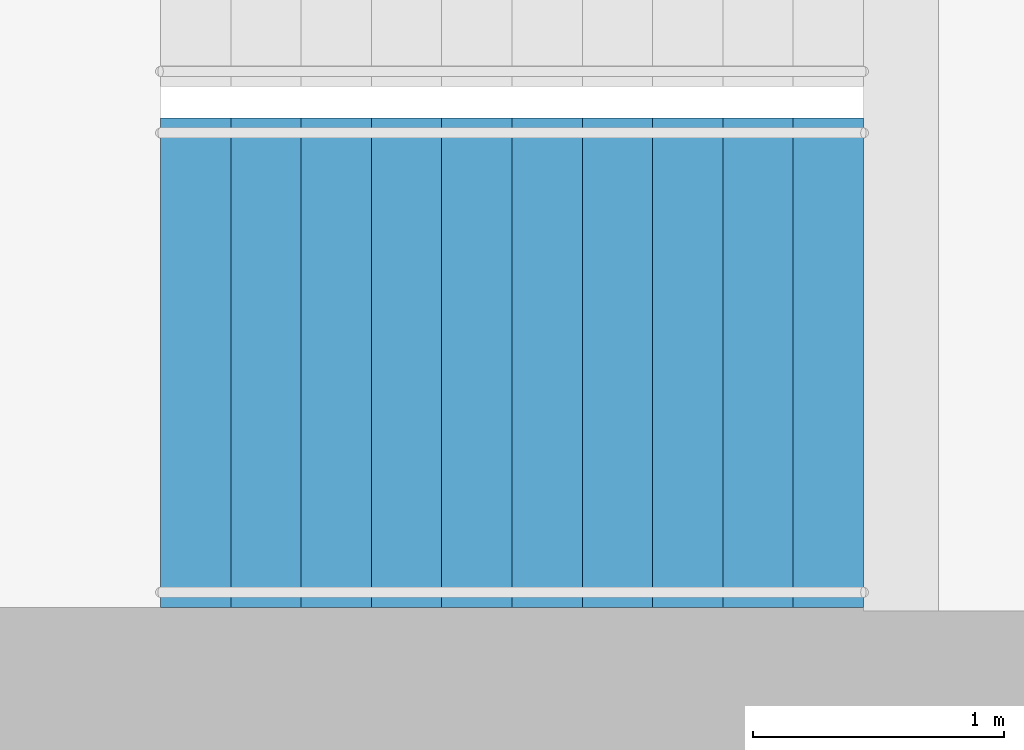
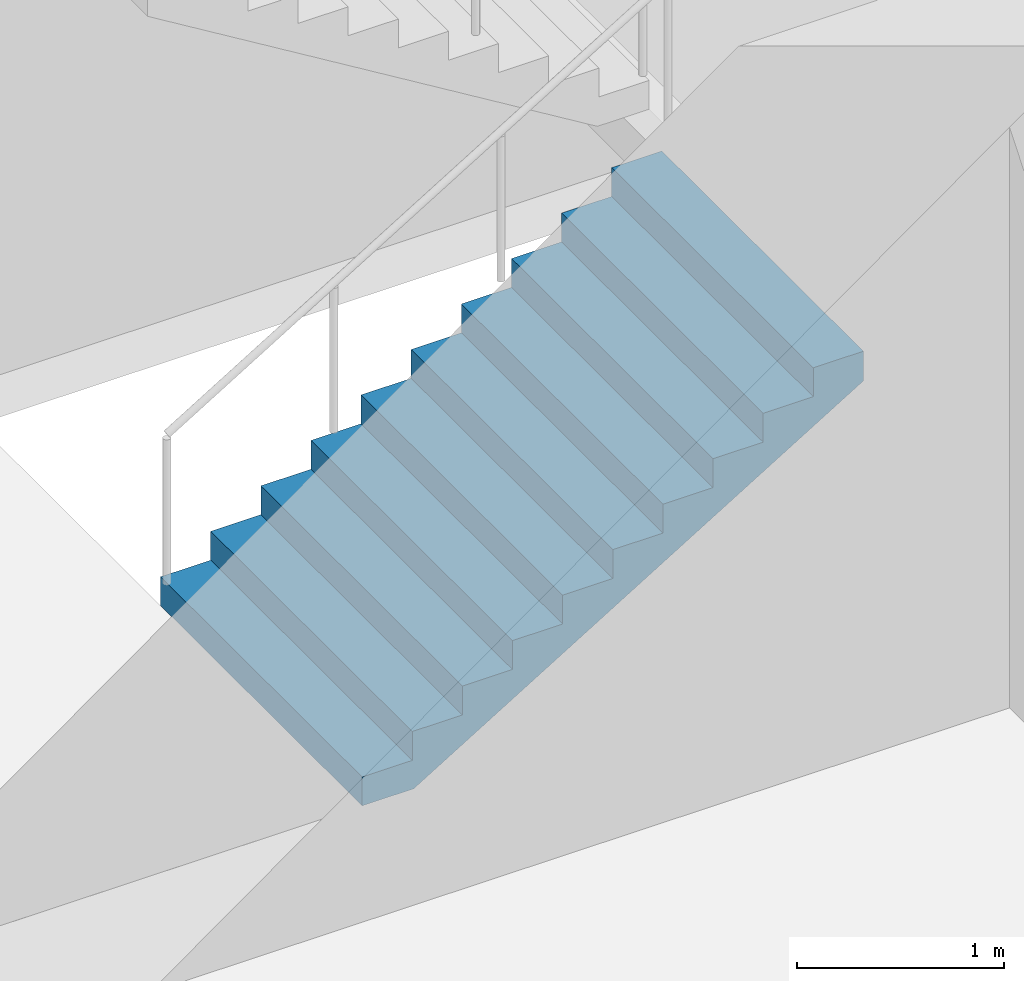
# One storey, part 18 of 22: 1 stair flight, 1 element without a shape of its own.
"""IFC4 building model written with IfcOpenShell, lengths in metres."""

from ifc_helpers import new_model, si_unit, direction, frame, origin, place, context, subcontext, project, spatial, triangles, material, type_object, element, aggregate, save


model = new_model("IFC4")

# Units and contexts
model_context = context("Model", 3, precision=1e-05, world=origin(), true_north=direction((0.0, 1.0)))
body_context = subcontext(model_context, "Body", "Model", "MODEL_VIEW")
ifc_project = project(units=[si_unit("LENGTHUNIT", "METRE"), si_unit("AREAUNIT", "SQUARE_METRE"), si_unit("VOLUMEUNIT", "CUBIC_METRE"), si_unit("PLANEANGLEUNIT", "RADIAN"), si_unit("MASSUNIT", "GRAM", prefix="KILO")], contexts=[model_context])

# Site, building, storey
site_placement = place(None, origin())
site = spatial("IfcSite", under=ifc_project, at=site_placement, CompositionType="ELEMENT")
building_placement = place(site_placement, origin())
building = spatial("IfcBuilding", under=site, at=building_placement, Name="Orbita Commons", CompositionType="ELEMENT")
storey_placement = place(building_placement, frame((0.0, 0.0, 144.85009765625)))
storey = spatial("IfcBuildingStorey", under=building, at=storey_placement, Name="L35", CompositionType="ELEMENT", Elevation=144.85009765625)

# Stair, stair flight
ifc_material_1 = material(Name="Precast concrete C40/50", Category="concrete")
stair_type = type_object("IfcStairType", Name="Exit stair S1 2 flights 11 risers 170", PredefinedType="HALF_TURN_STAIR", material=ifc_material_1)
stair_placement = place(storey_placement, origin())
stair = element("IfcStair", 1, at=stair_placement, inside=storey, type_object=stair_type, Name="Exit stair S1 L35", PredefinedType="HALF_TURN_STAIR")
ifc_material_2 = material(Name="Precast concrete C40/50", Category="concrete")
stair_flight_type = type_object("IfcStairFlightType", Name="Stair flight 11 risers 170 x 280", PredefinedType="STRAIGHT", material=ifc_material_2)
stair_flight_placement = place(storey_placement, frame((20.449951171875, 27.199951171875, 0.0), z_axis=(0.0, 0.0, 1.0), x_axis=(1.0, 0.0, 0.0)))
stair_flight = element("IfcStairFlight", 2, at=stair_flight_placement, type_object=stair_flight_type, Name="S1 flight 1", NumberOfRisers=11, NumberOfTreads=10, PredefinedType="STRAIGHT", RiserHeight=0.170454545, TreadLength=0.28, context=body_context, shape_type="Tessellation", body=[
    triangles([(0.0, 0.974976, 0.0), (0.0, 0.974976, 0.021307), (0.0, 0.81248, 0.021307), (0.0, 0.81248, 0.0), (0.0, 0.649984, 0.021307), (0.0, 0.649984, 0.0), (0.0, 0.487488, 0.021307), (0.0, 0.487488, 0.0), (0.0, 0.324992, 0.021307), (0.0, 0.324992, 0.0), (0.0, 0.162496, 0.021307), (0.0, 0.162496, 0.0), (0.0, 0.0, 0.021307), (0.0, 0.0, 0.0), (0.0, -0.162496, 0.021307), (0.0, -0.162496, 0.0), (0.0, -0.324992, 0.021307), (0.0, -0.324992, 0.0), (0.0, -0.487488, 0.021307), (0.0, -0.487488, 0.0), (0.0, -0.649984, 0.021307), (0.0, -0.649984, 0.0), (0.0, -0.81248, 0.021307), (0.0, -0.81248, 0.0), (0.0, -0.974976, 0.021307), (0.0, -0.974976, 0.0), (0.0, 0.974976, 0.042614), (0.0, 0.81248, 0.042614), (0.0, 0.649984, 0.042614), (0.0, 0.487488, 0.042614), (0.0, 0.324992, 0.042614), (0.0, 0.162496, 0.042614), (0.0, 0.0, 0.042614), (0.0, -0.162496, 0.042614), (0.0, -0.324992, 0.042614), (0.0, -0.487488, 0.042614), (0.0, -0.649984, 0.042614), (0.0, -0.81248, 0.042614), (0.0, -0.974976, 0.042614), (0.0, 0.974976, 0.06392), (0.0, 0.81248, 0.06392), (0.0, 0.649984, 0.06392), (0.0, 0.487488, 0.06392), (0.0, 0.324992, 0.06392), (0.0, 0.162496, 0.06392), (0.0, 0.0, 0.06392), (0.0, -0.162496, 0.06392), (0.0, -0.324992, 0.06392), (0.0, -0.487488, 0.06392), (0.0, -0.649984, 0.06392), (0.0, -0.81248, 0.06392), (0.0, -0.974976, 0.06392), (0.0, 0.974976, 0.085227), (0.0, 0.81248, 0.085227), (0.0, 0.649984, 0.085227), (0.0, 0.487488, 0.085227), (0.0, 0.324992, 0.085227), (0.0, 0.162496, 0.085227), (0.0, 0.0, 0.085227), (0.0, -0.162496, 0.085227), (0.0, -0.324992, 0.085227), (0.0, -0.487488, 0.085227), (0.0, -0.649984, 0.085227), (0.0, -0.81248, 0.085227), (0.0, -0.974976, 0.085227), (0.0, 0.974976, 0.106534), (0.0, 0.81248, 0.106534), (0.0, 0.649984, 0.106534), (0.0, 0.487488, 0.106534), (0.0, 0.324992, 0.106534), (0.0, 0.162496, 0.106534), (0.0, 0.0, 0.106534), (0.0, -0.162496, 0.106534), (0.0, -0.324992, 0.106534), (0.0, -0.487488, 0.106534), (0.0, -0.649984, 0.106534), (0.0, -0.81248, 0.106534), (0.0, -0.974976, 0.106534), (0.0, 0.974976, 0.127841), (0.0, 0.81248, 0.127841), (0.0, 0.649984, 0.127841), (0.0, 0.487488, 0.127841), (0.0, 0.324992, 0.127841), (0.0, 0.162496, 0.127841), (0.0, 0.0, 0.127841), (0.0, -0.162496, 0.127841), (0.0, -0.324992, 0.127841), (0.0, -0.487488, 0.127841), (0.0, -0.649984, 0.127841), (0.0, -0.81248, 0.127841), (0.0, -0.974976, 0.127841), (0.0, 0.974976, 0.149148), (0.0, 0.81248, 0.149148), (0.0, 0.649984, 0.149148), (0.0, 0.487488, 0.149148), (0.0, 0.324992, 0.149148), (0.0, 0.162496, 0.149148), (0.0, 0.0, 0.149148), (0.0, -0.162496, 0.149148), (0.0, -0.324992, 0.149148), (0.0, -0.487488, 0.149148), (0.0, -0.649984, 0.149148), (0.0, -0.81248, 0.149148), (0.0, -0.974976, 0.149148), (0.0, 0.974976, 0.170455), (0.0, 0.81248, 0.170455), (0.0, 0.649984, 0.170455), (0.0, 0.487488, 0.170455), (0.0, 0.324992, 0.170455), (0.0, 0.162496, 0.170455), (0.0, 0.0, 0.170455), (0.0, -0.162496, 0.170455), (0.0, -0.324992, 0.170455), (0.0, -0.487488, 0.170455), (0.0, -0.649984, 0.170455), (0.0, -0.81248, 0.170455), (0.0, -0.974976, 0.170455), (0.28, 0.974976, 0.170455), (0.28, 0.81248, 0.170455), (0.28, 0.649984, 0.170455), (0.28, 0.487488, 0.170455), (0.28, 0.324992, 0.170455), (0.28, 0.162496, 0.170455), (0.28, 0.0, 0.170455), (0.28, -0.162496, 0.170455), (0.28, -0.324992, 0.170455), (0.28, -0.487488, 0.170455), (0.28, -0.649984, 0.170455), (0.28, -0.81248, 0.170455), (0.28, -0.974976, 0.170455), (0.28, 0.974976, 0.340909), (0.28, 0.81248, 0.340909), (0.28, 0.649984, 0.340909), (0.28, 0.487488, 0.340909), (0.28, 0.324992, 0.340909), (0.28, 0.162496, 0.340909), (0.28, 0.0, 0.340909), (0.28, -0.162496, 0.340909), (0.28, -0.324992, 0.340909), (0.28, -0.487488, 0.340909), (0.28, -0.649984, 0.340909), (0.28, -0.81248, 0.340909), (0.28, -0.974976, 0.340909), (0.56, 0.974976, 0.340909), (0.56, 0.81248, 0.340909), (0.56, 0.649984, 0.340909), (0.56, 0.487488, 0.340909), (0.56, 0.324992, 0.340909), (0.56, 0.162496, 0.340909), (0.56, 0.0, 0.340909), (0.56, -0.162496, 0.340909), (0.56, -0.324992, 0.340909), (0.56, -0.487488, 0.340909), (0.56, -0.649984, 0.340909), (0.56, -0.81248, 0.340909), (0.56, -0.974976, 0.340909), (0.56, 0.974976, 0.511364), (0.56, 0.81248, 0.511364), (0.56, 0.649984, 0.511364), (0.56, 0.487488, 0.511364), (0.56, 0.324992, 0.511364), (0.56, 0.162496, 0.511364), (0.56, 0.0, 0.511364), (0.56, -0.162496, 0.511364), (0.56, -0.324992, 0.511364), (0.56, -0.487488, 0.511364), (0.56, -0.649984, 0.511364), (0.56, -0.81248, 0.511364), (0.56, -0.974976, 0.511364), (0.84, 0.974976, 0.511364), (0.84, 0.81248, 0.511364), (0.84, 0.649984, 0.511364), (0.84, 0.487488, 0.511364), (0.84, 0.324992, 0.511364), (0.84, 0.162496, 0.511364), (0.84, 0.0, 0.511364), (0.84, -0.162496, 0.511364), (0.84, -0.324992, 0.511364), (0.84, -0.487488, 0.511364), (0.84, -0.649984, 0.511364), (0.84, -0.81248, 0.511364), (0.84, -0.974976, 0.511364), (0.84, 0.974976, 0.681818), (0.84, 0.81248, 0.681818), (0.84, 0.649984, 0.681818), (0.84, 0.487488, 0.681818), (0.84, 0.324992, 0.681818), (0.84, 0.162496, 0.681818), (0.84, 0.0, 0.681818), (0.84, -0.162496, 0.681818), (0.84, -0.324992, 0.681818), (0.84, -0.487488, 0.681818), (0.84, -0.649984, 0.681818), (0.84, -0.81248, 0.681818), (0.84, -0.974976, 0.681818), (1.12, 0.974976, 0.681818), (1.12, 0.81248, 0.681818), (1.12, 0.649984, 0.681818), (1.12, 0.487488, 0.681818), (1.12, 0.324992, 0.681818), (1.12, 0.162496, 0.681818), (1.12, 0.0, 0.681818), (1.12, -0.162496, 0.681818), (1.12, -0.324992, 0.681818), (1.12, -0.487488, 0.681818), (1.12, -0.649984, 0.681818), (1.12, -0.81248, 0.681818), (1.12, -0.974976, 0.681818), (1.12, 0.974976, 0.852273), (1.12, 0.81248, 0.852273), (1.12, 0.649984, 0.852273), (1.12, 0.487488, 0.852273), (1.12, 0.324992, 0.852273), (1.12, 0.162496, 0.852273), (1.12, 0.0, 0.852273), (1.12, -0.162496, 0.852273), (1.12, -0.324992, 0.852273), (1.12, -0.487488, 0.852273), (1.12, -0.649984, 0.852273), (1.12, -0.81248, 0.852273), (1.12, -0.974976, 0.852273), (1.4, 0.974976, 0.852273), (1.4, 0.81248, 0.852273), (1.4, 0.649984, 0.852273), (1.4, 0.487488, 0.852273), (1.4, 0.324992, 0.852273), (1.4, 0.162496, 0.852273), (1.4, 0.0, 0.852273), (1.4, -0.162496, 0.852273), (1.4, -0.324992, 0.852273), (1.4, -0.487488, 0.852273), (1.4, -0.649984, 0.852273), (1.4, -0.81248, 0.852273), (1.4, -0.974976, 0.852273), (1.4, 0.974976, 1.022727), (1.4, 0.81248, 1.022727), (1.4, 0.649984, 1.022727), (1.4, 0.487488, 1.022727), (1.4, 0.324992, 1.022727), (1.4, 0.162496, 1.022727), (1.4, 0.0, 1.022727), (1.4, -0.162496, 1.022727), (1.4, -0.324992, 1.022727), (1.4, -0.487488, 1.022727), (1.4, -0.649984, 1.022727), (1.4, -0.81248, 1.022727), (1.4, -0.974976, 1.022727), (1.68, 0.974976, 1.022727), (1.68, 0.81248, 1.022727), (1.68, 0.649984, 1.022727), (1.68, 0.487488, 1.022727), (1.68, 0.324992, 1.022727), (1.68, 0.162496, 1.022727), (1.68, 0.0, 1.022727), (1.68, -0.162496, 1.022727), (1.68, -0.324992, 1.022727), (1.68, -0.487488, 1.022727), (1.68, -0.649984, 1.022727), (1.68, -0.81248, 1.022727), (1.68, -0.974976, 1.022727), (1.68, 0.974976, 1.193182), (1.68, 0.81248, 1.193182), (1.68, 0.649984, 1.193182), (1.68, 0.487488, 1.193182), (1.68, 0.324992, 1.193182), (1.68, 0.162496, 1.193182), (1.68, 0.0, 1.193182), (1.68, -0.162496, 1.193182), (1.68, -0.324992, 1.193182), (1.68, -0.487488, 1.193182), (1.68, -0.649984, 1.193182), (1.68, -0.81248, 1.193182), (1.68, -0.974976, 1.193182), (1.96, 0.974976, 1.193182), (1.96, 0.81248, 1.193182), (1.96, 0.649984, 1.193182), (1.96, 0.487488, 1.193182), (1.96, 0.324992, 1.193182), (1.96, 0.162496, 1.193182), (1.96, 0.0, 1.193182), (1.96, -0.162496, 1.193182), (1.96, -0.324992, 1.193182), (1.96, -0.487488, 1.193182), (1.96, -0.649984, 1.193182), (1.96, -0.81248, 1.193182), (1.96, -0.974976, 1.193182), (1.96, 0.974976, 1.363636), (1.96, 0.81248, 1.363636), (1.96, 0.649984, 1.363636), (1.96, 0.487488, 1.363636), (1.96, 0.324992, 1.363636), (1.96, 0.162496, 1.363636), (1.96, 0.0, 1.363636), (1.96, -0.162496, 1.363636), (1.96, -0.324992, 1.363636), (1.96, -0.487488, 1.363636), (1.96, -0.649984, 1.363636), (1.96, -0.81248, 1.363636), (1.96, -0.974976, 1.363636), (2.24, 0.974976, 1.363636), (2.24, 0.81248, 1.363636), (2.24, 0.649984, 1.363636), (2.24, 0.487488, 1.363636), (2.24, 0.324992, 1.363636), (2.24, 0.162496, 1.363636), (2.24, 0.0, 1.363636), (2.24, -0.162496, 1.363636), (2.24, -0.324992, 1.363636), (2.24, -0.487488, 1.363636), (2.24, -0.649984, 1.363636), (2.24, -0.81248, 1.363636), (2.24, -0.974976, 1.363636), (2.24, 0.974976, 1.534091), (2.24, 0.81248, 1.534091), (2.24, 0.649984, 1.534091), (2.24, 0.487488, 1.534091), (2.24, 0.324992, 1.534091), (2.24, 0.162496, 1.534091), (2.24, 0.0, 1.534091), (2.24, -0.162496, 1.534091), (2.24, -0.324992, 1.534091), (2.24, -0.487488, 1.534091), (2.24, -0.649984, 1.534091), (2.24, -0.81248, 1.534091), (2.24, -0.974976, 1.534091), (2.52, 0.974976, 1.534091), (2.52, 0.81248, 1.534091), (2.52, 0.649984, 1.534091), (2.52, 0.487488, 1.534091), (2.52, 0.324992, 1.534091), (2.52, 0.162496, 1.534091), (2.52, 0.0, 1.534091), (2.52, -0.162496, 1.534091), (2.52, -0.324992, 1.534091), (2.52, -0.487488, 1.534091), (2.52, -0.649984, 1.534091), (2.52, -0.81248, 1.534091), (2.52, -0.974976, 1.534091), (2.52, 0.974976, 1.704545), (2.52, 0.81248, 1.704545), (2.52, 0.649984, 1.704545), (2.52, 0.487488, 1.704545), (2.52, 0.324992, 1.704545), (2.52, 0.162496, 1.704545), (2.52, 0.0, 1.704545), (2.52, -0.162496, 1.704545), (2.52, -0.324992, 1.704545), (2.52, -0.487488, 1.704545), (2.52, -0.649984, 1.704545), (2.52, -0.81248, 1.704545), (2.52, -0.974976, 1.704545), (2.8, 0.974976, 1.704545), (2.8, 0.81248, 1.704545), (2.8, 0.649984, 1.704545), (2.8, 0.487488, 1.704545), (2.8, 0.324992, 1.704545), (2.8, 0.162496, 1.704545), (2.8, 0.0, 1.704545), (2.8, -0.162496, 1.704545), (2.8, -0.324992, 1.704545), (2.8, -0.487488, 1.704545), (2.8, -0.649984, 1.704545), (2.8, -0.81248, 1.704545), (2.8, -0.974976, 1.704545), (2.8, 0.974976, 1.682609), (2.8, 0.81248, 1.682609), (2.8, 0.649984, 1.682609), (2.8, 0.487488, 1.682609), (2.8, 0.324992, 1.682609), (2.8, 0.162496, 1.682609), (2.8, 0.0, 1.682609), (2.8, -0.162496, 1.682609), (2.8, -0.324992, 1.682609), (2.8, -0.487488, 1.682609), (2.8, -0.649984, 1.682609), (2.8, -0.81248, 1.682609), (2.8, -0.974976, 1.682609), (2.8, 0.974976, 1.660672), (2.8, 0.81248, 1.660672), (2.8, 0.649984, 1.660672), (2.8, 0.487488, 1.660672), (2.8, 0.324992, 1.660672), (2.8, 0.162496, 1.660672), (2.8, 0.0, 1.660672), (2.8, -0.162496, 1.660672), (2.8, -0.324992, 1.660672), (2.8, -0.487488, 1.660672), (2.8, -0.649984, 1.660672), (2.8, -0.81248, 1.660672), (2.8, -0.974976, 1.660672), (2.8, 0.974976, 1.638735), (2.8, 0.81248, 1.638735), (2.8, 0.649984, 1.638735), (2.8, 0.487488, 1.638735), (2.8, 0.324992, 1.638735), (2.8, 0.162496, 1.638735), (2.8, 0.0, 1.638735), (2.8, -0.162496, 1.638735), (2.8, -0.324992, 1.638735), (2.8, -0.487488, 1.638735), (2.8, -0.649984, 1.638735), (2.8, -0.81248, 1.638735), (2.8, -0.974976, 1.638735), (2.8, 0.974976, 1.616798), (2.8, 0.81248, 1.616798), (2.8, 0.649984, 1.616798), (2.8, 0.487488, 1.616798), (2.8, 0.324992, 1.616798), (2.8, 0.162496, 1.616798), (2.8, 0.0, 1.616798), (2.8, -0.162496, 1.616798), (2.8, -0.324992, 1.616798), (2.8, -0.487488, 1.616798), (2.8, -0.649984, 1.616798), (2.8, -0.81248, 1.616798), (2.8, -0.974976, 1.616798), (2.8, 0.974976, 1.594861), (2.8, 0.81248, 1.594861), (2.8, 0.649984, 1.594861), (2.8, 0.487488, 1.594861), (2.8, 0.324992, 1.594861), (2.8, 0.162496, 1.594861), (2.8, 0.0, 1.594861), (2.8, -0.162496, 1.594861), (2.8, -0.324992, 1.594861), (2.8, -0.487488, 1.594861), (2.8, -0.649984, 1.594861), (2.8, -0.81248, 1.594861), (2.8, -0.974976, 1.594861), (2.8, 0.974976, 1.572925), (2.8, 0.81248, 1.572925), (2.8, 0.649984, 1.572925), (2.8, 0.487488, 1.572925), (2.8, 0.324992, 1.572925), (2.8, 0.162496, 1.572925), (2.8, 0.0, 1.572925), (2.8, -0.162496, 1.572925), (2.8, -0.324992, 1.572925), (2.8, -0.487488, 1.572925), (2.8, -0.649984, 1.572925), (2.8, -0.81248, 1.572925), (2.8, -0.974976, 1.572925), (2.8, 0.974976, 1.550988), (2.8, 0.81248, 1.550988), (2.8, 0.649984, 1.550988), (2.8, 0.487488, 1.550988), (2.8, 0.324992, 1.550988), (2.8, 0.162496, 1.550988), (2.8, 0.0, 1.550988), (2.8, -0.162496, 1.550988), (2.8, -0.324992, 1.550988), (2.8, -0.487488, 1.550988), (2.8, -0.649984, 1.550988), (2.8, -0.81248, 1.550988), (2.8, -0.974976, 1.550988), (2.8, 0.974976, 1.529051), (2.8, 0.81248, 1.529051), (2.8, 0.649984, 1.529051), (2.8, 0.487488, 1.529051), (2.8, 0.324992, 1.529051), (2.8, 0.162496, 1.529051), (2.8, 0.0, 1.529051), (2.8, -0.162496, 1.529051), (2.8, -0.324992, 1.529051), (2.8, -0.487488, 1.529051), (2.8, -0.649984, 1.529051), (2.8, -0.81248, 1.529051), (2.8, -0.974976, 1.529051), (0.288279, 0.974976, 0.0), (0.288279, 0.81248, 0.0), (0.288279, 0.649984, 0.0), (0.288279, 0.487488, 0.0), (0.288279, 0.324992, 0.0), (0.288279, 0.162496, 0.0), (0.288279, 0.0, 0.0), (0.288279, -0.162496, 0.0), (0.288279, -0.324992, 0.0), (0.288279, -0.487488, 0.0), (0.288279, -0.649984, 0.0), (0.288279, -0.81248, 0.0), (0.288279, -0.974976, 0.0)], [[3, 2, 1], [4, 3, 1], [5, 3, 4], [6, 5, 4], [7, 5, 6], [8, 7, 6], [9, 7, 8], [10, 9, 8], [11, 9, 10], [12, 11, 10], [13, 11, 12], [14, 13, 12], [15, 13, 14], [16, 15, 14], [17, 15, 16], [18, 17, 16], [19, 17, 18], [20, 19, 18], [21, 19, 20], [22, 21, 20], [23, 21, 22], [24, 23, 22], [25, 23, 24], [26, 25, 24], [28, 27, 2], [3, 28, 2], [29, 28, 3], [5, 29, 3], [30, 29, 5], [7, 30, 5], [31, 30, 7], [9, 31, 7], [32, 31, 9], [11, 32, 9], [33, 32, 11], [13, 33, 11], [34, 33, 13], [15, 34, 13], [35, 34, 15], [17, 35, 15], [36, 35, 17], [19, 36, 17], [37, 36, 19], [21, 37, 19], [38, 37, 21], [23, 38, 21], [39, 38, 23], [25, 39, 23], [41, 40, 27], [28, 41, 27], [42, 41, 28], [29, 42, 28], [43, 42, 29], [30, 43, 29], [44, 43, 30], [31, 44, 30], [45, 44, 31], [32, 45, 31], [46, 45, 32], [33, 46, 32], [47, 46, 33], [34, 47, 33], [48, 47, 34], [35, 48, 34], [49, 48, 35], [36, 49, 35], [50, 49, 36], [37, 50, 36], [51, 50, 37], [38, 51, 37], [52, 51, 38], [39, 52, 38], [54, 53, 40], [41, 54, 40], [55, 54, 41], [42, 55, 41], [56, 55, 42], [43, 56, 42], [57, 56, 43], [44, 57, 43], [58, 57, 44], [45, 58, 44], [59, 58, 45], [46, 59, 45], [60, 59, 46], [47, 60, 46], [61, 60, 47], [48, 61, 47], [62, 61, 48], [49, 62, 48], [63, 62, 49], [50, 63, 49], [64, 63, 50], [51, 64, 50], [65, 64, 51], [52, 65, 51], [67, 66, 53], [54, 67, 53], [68, 67, 54], [55, 68, 54], [69, 68, 55], [56, 69, 55], [70, 69, 56], [57, 70, 56], [71, 70, 57], [58, 71, 57], [72, 71, 58], [59, 72, 58], [73, 72, 59], [60, 73, 59], [74, 73, 60], [61, 74, 60], [75, 74, 61], [62, 75, 61], [76, 75, 62], [63, 76, 62], [77, 76, 63], [64, 77, 63], [78, 77, 64], [65, 78, 64], [80, 79, 66], [67, 80, 66], [81, 80, 67], [68, 81, 67], [82, 81, 68], [69, 82, 68], [83, 82, 69], [70, 83, 69], [84, 83, 70], [71, 84, 70], [85, 84, 71], [72, 85, 71], [86, 85, 72], [73, 86, 72], [87, 86, 73], [74, 87, 73], [88, 87, 74], [75, 88, 74], [89, 88, 75], [76, 89, 75], [90, 89, 76], [77, 90, 76], [91, 90, 77], [78, 91, 77], [93, 92, 79], [80, 93, 79], [94, 93, 80], [81, 94, 80], [95, 94, 81], [82, 95, 81], [96, 95, 82], [83, 96, 82], [97, 96, 83], [84, 97, 83], [98, 97, 84], [85, 98, 84], [99, 98, 85], [86, 99, 85], [100, 99, 86], [87, 100, 86], [101, 100, 87], [88, 101, 87], [102, 101, 88], [89, 102, 88], [103, 102, 89], [90, 103, 89], [104, 103, 90], [91, 104, 90], [106, 105, 92], [93, 106, 92], [107, 106, 93], [94, 107, 93], [108, 107, 94], [95, 108, 94], [109, 108, 95], [96, 109, 95], [110, 109, 96], [97, 110, 96], [111, 110, 97], [98, 111, 97], [112, 111, 98], [99, 112, 98], [113, 112, 99], [100, 113, 99], [114, 113, 100], [101, 114, 100], [115, 114, 101], [102, 115, 101], [116, 115, 102], [103, 116, 102], [117, 116, 103], [104, 117, 103], [119, 118, 105], [106, 119, 105], [120, 119, 106], [107, 120, 106], [121, 120, 107], [108, 121, 107], [122, 121, 108], [109, 122, 108], [123, 122, 109], [110, 123, 109], [124, 123, 110], [111, 124, 110], [125, 124, 111], [112, 125, 111], [126, 125, 112], [113, 126, 112], [127, 126, 113], [114, 127, 113], [128, 127, 114], [115, 128, 114], [129, 128, 115], [116, 129, 115], [130, 129, 116], [117, 130, 116], [132, 131, 118], [119, 132, 118], [133, 132, 119], [120, 133, 119], [134, 133, 120], [121, 134, 120], [135, 134, 121], [122, 135, 121], [136, 135, 122], [123, 136, 122], [137, 136, 123], [124, 137, 123], [138, 137, 124], [125, 138, 124], [139, 138, 125], [126, 139, 125], [140, 139, 126], [127, 140, 126], [141, 140, 127], [128, 141, 127], [142, 141, 128], [129, 142, 128], [143, 142, 129], [130, 143, 129], [145, 144, 131], [132, 145, 131], [146, 145, 132], [133, 146, 132], [147, 146, 133], [134, 147, 133], [148, 147, 134], [135, 148, 134], [149, 148, 135], [136, 149, 135], [150, 149, 136], [137, 150, 136], [151, 150, 137], [138, 151, 137], [152, 151, 138], [139, 152, 138], [153, 152, 139], [140, 153, 139], [154, 153, 140], [141, 154, 140], [155, 154, 141], [142, 155, 141], [156, 155, 142], [143, 156, 142], [158, 157, 144], [145, 158, 144], [159, 158, 145], [146, 159, 145], [160, 159, 146], [147, 160, 146], [161, 160, 147], [148, 161, 147], [162, 161, 148], [149, 162, 148], [163, 162, 149], [150, 163, 149], [164, 163, 150], [151, 164, 150], [165, 164, 151], [152, 165, 151], [166, 165, 152], [153, 166, 152], [167, 166, 153], [154, 167, 153], [168, 167, 154], [155, 168, 154], [169, 168, 155], [156, 169, 155], [171, 170, 157], [158, 171, 157], [172, 171, 158], [159, 172, 158], [173, 172, 159], [160, 173, 159], [174, 173, 160], [161, 174, 160], [175, 174, 161], [162, 175, 161], [176, 175, 162], [163, 176, 162], [177, 176, 163], [164, 177, 163], [178, 177, 164], [165, 178, 164], [179, 178, 165], [166, 179, 165], [180, 179, 166], [167, 180, 166], [181, 180, 167], [168, 181, 167], [182, 181, 168], [169, 182, 168], [184, 183, 170], [171, 184, 170], [185, 184, 171], [172, 185, 171], [186, 185, 172], [173, 186, 172], [187, 186, 173], [174, 187, 173], [188, 187, 174], [175, 188, 174], [189, 188, 175], [176, 189, 175], [190, 189, 176], [177, 190, 176], [191, 190, 177], [178, 191, 177], [192, 191, 178], [179, 192, 178], [193, 192, 179], [180, 193, 179], [194, 193, 180], [181, 194, 180], [195, 194, 181], [182, 195, 181], [197, 196, 183], [184, 197, 183], [198, 197, 184], [185, 198, 184], [199, 198, 185], [186, 199, 185], [200, 199, 186], [187, 200, 186], [201, 200, 187], [188, 201, 187], [202, 201, 188], [189, 202, 188], [203, 202, 189], [190, 203, 189], [204, 203, 190], [191, 204, 190], [205, 204, 191], [192, 205, 191], [206, 205, 192], [193, 206, 192], [207, 206, 193], [194, 207, 193], [208, 207, 194], [195, 208, 194], [210, 209, 196], [197, 210, 196], [211, 210, 197], [198, 211, 197], [212, 211, 198], [199, 212, 198], [213, 212, 199], [200, 213, 199], [214, 213, 200], [201, 214, 200], [215, 214, 201], [202, 215, 201], [216, 215, 202], [203, 216, 202], [217, 216, 203], [204, 217, 203], [218, 217, 204], [205, 218, 204], [219, 218, 205], [206, 219, 205], [220, 219, 206], [207, 220, 206], [221, 220, 207], [208, 221, 207], [223, 222, 209], [210, 223, 209], [224, 223, 210], [211, 224, 210], [225, 224, 211], [212, 225, 211], [226, 225, 212], [213, 226, 212], [227, 226, 213], [214, 227, 213], [228, 227, 214], [215, 228, 214], [229, 228, 215], [216, 229, 215], [230, 229, 216], [217, 230, 216], [231, 230, 217], [218, 231, 217], [232, 231, 218], [219, 232, 218], [233, 232, 219], [220, 233, 219], [234, 233, 220], [221, 234, 220], [236, 235, 222], [223, 236, 222], [237, 236, 223], [224, 237, 223], [238, 237, 224], [225, 238, 224], [239, 238, 225], [226, 239, 225], [240, 239, 226], [227, 240, 226], [241, 240, 227], [228, 241, 227], [242, 241, 228], [229, 242, 228], [243, 242, 229], [230, 243, 229], [244, 243, 230], [231, 244, 230], [245, 244, 231], [232, 245, 231], [246, 245, 232], [233, 246, 232], [247, 246, 233], [234, 247, 233], [249, 248, 235], [236, 249, 235], [250, 249, 236], [237, 250, 236], [251, 250, 237], [238, 251, 237], [252, 251, 238], [239, 252, 238], [253, 252, 239], [240, 253, 239], [254, 253, 240], [241, 254, 240], [255, 254, 241], [242, 255, 241], [256, 255, 242], [243, 256, 242], [257, 256, 243], [244, 257, 243], [258, 257, 244], [245, 258, 244], [259, 258, 245], [246, 259, 245], [260, 259, 246], [247, 260, 246], [262, 261, 248], [249, 262, 248], [263, 262, 249], [250, 263, 249], [264, 263, 250], [251, 264, 250], [265, 264, 251], [252, 265, 251], [266, 265, 252], [253, 266, 252], [267, 266, 253], [254, 267, 253], [268, 267, 254], [255, 268, 254], [269, 268, 255], [256, 269, 255], [270, 269, 256], [257, 270, 256], [271, 270, 257], [258, 271, 257], [272, 271, 258], [259, 272, 258], [273, 272, 259], [260, 273, 259], [275, 274, 261], [262, 275, 261], [276, 275, 262], [263, 276, 262], [277, 276, 263], [264, 277, 263], [278, 277, 264], [265, 278, 264], [279, 278, 265], [266, 279, 265], [280, 279, 266], [267, 280, 266], [281, 280, 267], [268, 281, 267], [282, 281, 268], [269, 282, 268], [283, 282, 269], [270, 283, 269], [284, 283, 270], [271, 284, 270], [285, 284, 271], [272, 285, 271], [286, 285, 272], [273, 286, 272], [288, 287, 274], [275, 288, 274], [289, 288, 275], [276, 289, 275], [290, 289, 276], [277, 290, 276], [291, 290, 277], [278, 291, 277], [292, 291, 278], [279, 292, 278], [293, 292, 279], [280, 293, 279], [294, 293, 280], [281, 294, 280], [295, 294, 281], [282, 295, 281], [296, 295, 282], [283, 296, 282], [297, 296, 283], [284, 297, 283], [298, 297, 284], [285, 298, 284], [299, 298, 285], [286, 299, 285], [301, 300, 287], [288, 301, 287], [302, 301, 288], [289, 302, 288], [303, 302, 289], [290, 303, 289], [304, 303, 290], [291, 304, 290], [305, 304, 291], [292, 305, 291], [306, 305, 292], [293, 306, 292], [307, 306, 293], [294, 307, 293], [308, 307, 294], [295, 308, 294], [309, 308, 295], [296, 309, 295], [310, 309, 296], [297, 310, 296], [311, 310, 297], [298, 311, 297], [312, 311, 298], [299, 312, 298], [314, 313, 300], [301, 314, 300], [315, 314, 301], [302, 315, 301], [316, 315, 302], [303, 316, 302], [317, 316, 303], [304, 317, 303], [318, 317, 304], [305, 318, 304], [319, 318, 305], [306, 319, 305], [320, 319, 306], [307, 320, 306], [321, 320, 307], [308, 321, 307], [322, 321, 308], [309, 322, 308], [323, 322, 309], [310, 323, 309], [324, 323, 310], [311, 324, 310], [325, 324, 311], [312, 325, 311], [327, 326, 313], [314, 327, 313], [328, 327, 314], [315, 328, 314], [329, 328, 315], [316, 329, 315], [330, 329, 316], [317, 330, 316], [331, 330, 317], [318, 331, 317], [332, 331, 318], [319, 332, 318], [333, 332, 319], [320, 333, 319], [334, 333, 320], [321, 334, 320], [335, 334, 321], [322, 335, 321], [336, 335, 322], [323, 336, 322], [337, 336, 323], [324, 337, 323], [338, 337, 324], [325, 338, 324], [340, 339, 326], [327, 340, 326], [341, 340, 327], [328, 341, 327], [342, 341, 328], [329, 342, 328], [343, 342, 329], [330, 343, 329], [344, 343, 330], [331, 344, 330], [345, 344, 331], [332, 345, 331], [346, 345, 332], [333, 346, 332], [347, 346, 333], [334, 347, 333], [348, 347, 334], [335, 348, 334], [349, 348, 335], [336, 349, 335], [350, 349, 336], [337, 350, 336], [351, 350, 337], [338, 351, 337], [353, 352, 339], [340, 353, 339], [354, 353, 340], [341, 354, 340], [355, 354, 341], [342, 355, 341], [356, 355, 342], [343, 356, 342], [357, 356, 343], [344, 357, 343], [358, 357, 344], [345, 358, 344], [359, 358, 345], [346, 359, 345], [360, 359, 346], [347, 360, 346], [361, 360, 347], [348, 361, 347], [362, 361, 348], [349, 362, 348], [363, 362, 349], [350, 363, 349], [364, 363, 350], [351, 364, 350], [366, 365, 352], [353, 366, 352], [367, 366, 353], [354, 367, 353], [368, 367, 354], [355, 368, 354], [369, 368, 355], [356, 369, 355], [370, 369, 356], [357, 370, 356], [371, 370, 357], [358, 371, 357], [372, 371, 358], [359, 372, 358], [373, 372, 359], [360, 373, 359], [374, 373, 360], [361, 374, 360], [375, 374, 361], [362, 375, 361], [376, 375, 362], [363, 376, 362], [377, 376, 363], [364, 377, 363], [379, 378, 365], [366, 379, 365], [380, 379, 366], [367, 380, 366], [381, 380, 367], [368, 381, 367], [382, 381, 368], [369, 382, 368], [383, 382, 369], [370, 383, 369], [384, 383, 370], [371, 384, 370], [385, 384, 371], [372, 385, 371], [386, 385, 372], [373, 386, 372], [387, 386, 373], [374, 387, 373], [388, 387, 374], [375, 388, 374], [389, 388, 375], [376, 389, 375], [390, 389, 376], [377, 390, 376], [392, 391, 378], [379, 392, 378], [393, 392, 379], [380, 393, 379], [394, 393, 380], [381, 394, 380], [395, 394, 381], [382, 395, 381], [396, 395, 382], [383, 396, 382], [397, 396, 383], [384, 397, 383], [398, 397, 384], [385, 398, 384], [399, 398, 385], [386, 399, 385], [400, 399, 386], [387, 400, 386], [401, 400, 387], [388, 401, 387], [402, 401, 388], [389, 402, 388], [403, 402, 389], [390, 403, 389], [405, 404, 391], [392, 405, 391], [406, 405, 392], [393, 406, 392], [407, 406, 393], [394, 407, 393], [408, 407, 394], [395, 408, 394], [409, 408, 395], [396, 409, 395], [410, 409, 396], [397, 410, 396], [411, 410, 397], [398, 411, 397], [412, 411, 398], [399, 412, 398], [413, 412, 399], [400, 413, 399], [414, 413, 400], [401, 414, 400], [415, 414, 401], [402, 415, 401], [416, 415, 402], [403, 416, 402], [418, 417, 404], [405, 418, 404], [419, 418, 405], [406, 419, 405], [420, 419, 406], [407, 420, 406], [421, 420, 407], [408, 421, 407], [422, 421, 408], [409, 422, 408], [423, 422, 409], [410, 423, 409], [424, 423, 410], [411, 424, 410], [425, 424, 411], [412, 425, 411], [426, 425, 412], [413, 426, 412], [427, 426, 413], [414, 427, 413], [428, 427, 414], [415, 428, 414], [429, 428, 415], [416, 429, 415], [431, 430, 417], [418, 431, 417], [432, 431, 418], [419, 432, 418], [433, 432, 419], [420, 433, 419], [434, 433, 420], [421, 434, 420], [435, 434, 421], [422, 435, 421], [436, 435, 422], [423, 436, 422], [437, 436, 423], [424, 437, 423], [438, 437, 424], [425, 438, 424], [439, 438, 425], [426, 439, 425], [440, 439, 426], [427, 440, 426], [441, 440, 427], [428, 441, 427], [442, 441, 428], [429, 442, 428], [444, 443, 430], [431, 444, 430], [445, 444, 431], [432, 445, 431], [446, 445, 432], [433, 446, 432], [447, 446, 433], [434, 447, 433], [448, 447, 434], [435, 448, 434], [449, 448, 435], [436, 449, 435], [450, 449, 436], [437, 450, 436], [451, 450, 437], [438, 451, 437], [452, 451, 438], [439, 452, 438], [453, 452, 439], [440, 453, 439], [454, 453, 440], [441, 454, 440], [455, 454, 441], [442, 455, 441], [457, 456, 443], [444, 457, 443], [458, 457, 444], [445, 458, 444], [459, 458, 445], [446, 459, 445], [460, 459, 446], [447, 460, 446], [461, 460, 447], [448, 461, 447], [462, 461, 448], [449, 462, 448], [463, 462, 449], [450, 463, 449], [464, 463, 450], [451, 464, 450], [465, 464, 451], [452, 465, 451], [466, 465, 452], [453, 466, 452], [467, 466, 453], [454, 467, 453], [468, 467, 454], [455, 468, 454], [470, 469, 456], [457, 470, 456], [471, 470, 457], [458, 471, 457], [472, 471, 458], [459, 472, 458], [473, 472, 459], [460, 473, 459], [474, 473, 460], [461, 474, 460], [475, 474, 461], [462, 475, 461], [476, 475, 462], [463, 476, 462], [477, 476, 463], [464, 477, 463], [478, 477, 464], [465, 478, 464], [479, 478, 465], [466, 479, 465], [480, 479, 466], [467, 480, 466], [481, 480, 467], [468, 481, 467], [4, 1, 469], [470, 4, 469], [6, 4, 470], [471, 6, 470], [8, 6, 471], [472, 8, 471], [10, 8, 472], [473, 10, 472], [12, 10, 473], [474, 12, 473], [14, 12, 474], [475, 14, 474], [16, 14, 475], [476, 16, 475], [18, 16, 476], [477, 18, 476], [20, 18, 477], [478, 20, 477], [22, 20, 478], [479, 22, 478], [24, 22, 479], [480, 24, 479], [26, 24, 480], [481, 26, 480], [456, 469, 1], [26, 481, 468], [443, 456, 1], [26, 468, 455], [430, 443, 1], [26, 455, 442], [417, 430, 1], [26, 442, 429], [404, 417, 1], [26, 429, 416], [391, 404, 1], [26, 416, 403], [378, 391, 1], [26, 403, 390], [365, 378, 1], [26, 390, 377], [339, 352, 365], [377, 364, 351], [326, 339, 365], [377, 351, 338], [300, 313, 326], [338, 325, 312], [300, 326, 365], [377, 338, 312], [274, 287, 300], [312, 299, 286], [274, 300, 365], [377, 312, 286], [248, 261, 274], [286, 273, 260], [248, 274, 365], [377, 286, 260], [222, 235, 248], [260, 247, 234], [222, 248, 365], [377, 260, 234], [196, 209, 222], [234, 221, 208], [196, 222, 365], [377, 234, 208], [170, 183, 196], [208, 195, 182], [170, 196, 365], [377, 208, 182], [144, 157, 170], [182, 169, 156], [144, 170, 365], [377, 182, 156], [118, 131, 144], [156, 143, 130], [118, 144, 365], [377, 156, 130], [118, 365, 1], [26, 377, 130], [92, 105, 118], [130, 117, 104], [79, 92, 118], [130, 104, 91], [66, 79, 118], [130, 91, 78], [53, 66, 118], [130, 78, 65], [40, 53, 118], [130, 65, 52], [27, 40, 118], [130, 52, 39], [2, 27, 118], [130, 39, 25], [1, 2, 118], [130, 25, 26]], closed=True),
])
aggregate(stair, [stair_flight])

save(model, "model.ifc")
